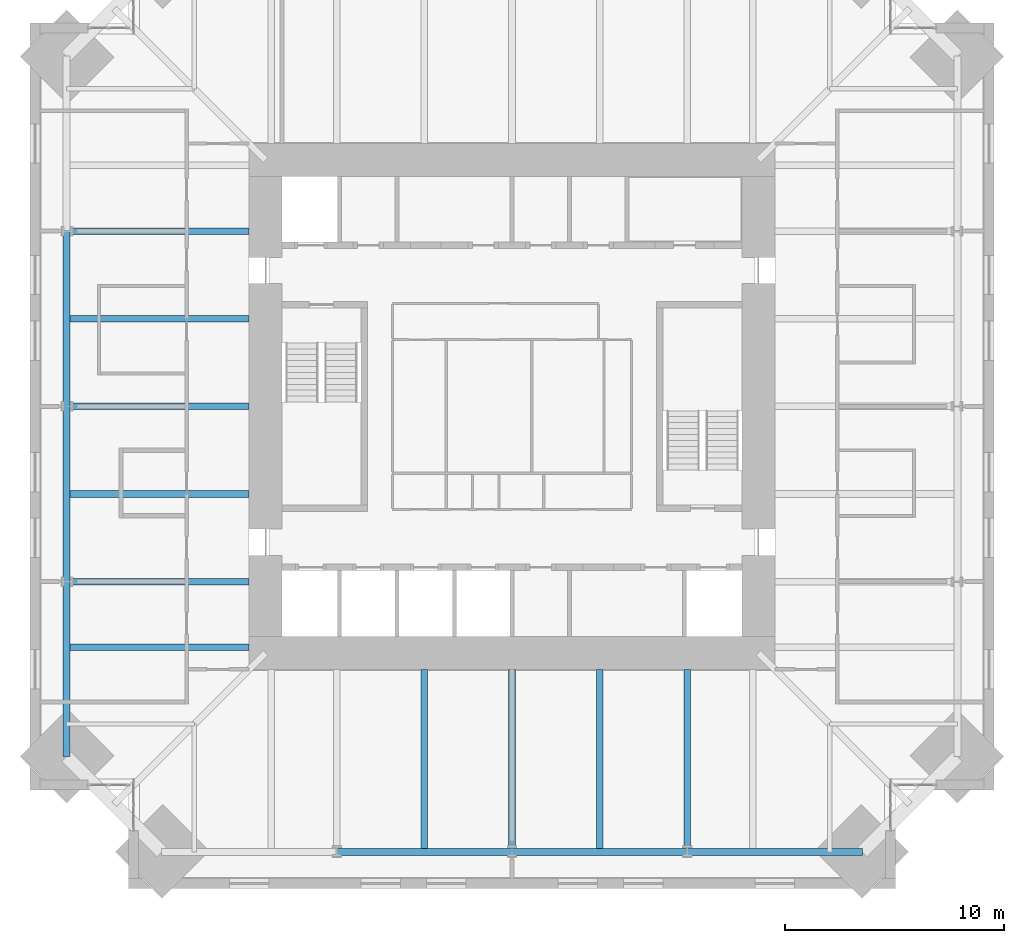
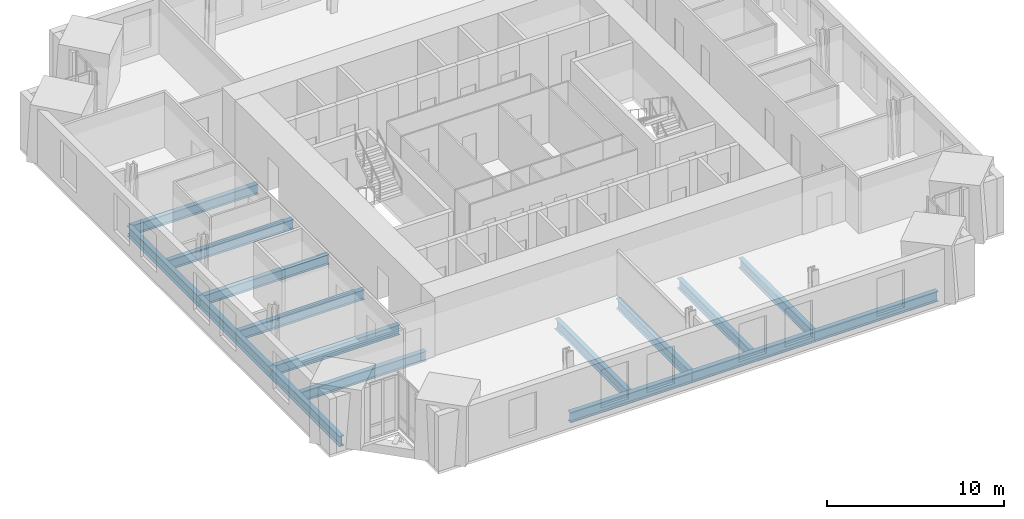
# One storey, part 3 of 16: 16 beams.
"""IFC4 building model written with IfcOpenShell, lengths in metres."""

import ifcopenshell
import ifcopenshell.guid

model = None  # the IFC model being written
_history = None  # IfcOwnerHistory: only IFC2X3 demands one
_inside = {}  # id of a spatial element -> (the spatial element, [elements in it])
_under = {}  # id of a project, library or spatial element -> (it, [spatial elements below it])
_declared = {}  # id of a project -> (the project, [libraries it declares])
_typed = {}  # id of a type object -> (the type object, [elements of that type])
_made_of = {}  # id of a material, layer set ... -> (it, [elements and type objects made of it])


def new_model(schema):
    """Start an empty IFC model of exactly this schema.

    Asked for "IFC4X3", IfcOpenShell would pick the latest addendum, in which some entities
    have other attributes; the version numbers below select the first issue.
    IFC2X3 requires an IfcOwnerHistory on every rooted entity: one is made here for all.
    """
    global model, _history
    if schema == "IFC4X3":
        model = ifcopenshell.file(schema_version=(4, 3, 0, 0))
    else:
        model = ifcopenshell.file(schema=schema)
    _inside.clear()
    _under.clear()
    _declared.clear()
    _typed.clear()
    _made_of.clear()
    _history = None
    if model.schema == "IFC2X3":
        org = make("IfcOrganization", Name="unknown")
        user = make(
            "IfcPersonAndOrganization",
            ThePerson=make("IfcPerson", FamilyName="unknown"),
            TheOrganization=org,
        )
        app = make(
            "IfcApplication",
            ApplicationDeveloper=org,
            Version="unknown",
            ApplicationFullName="unknown",
            ApplicationIdentifier="unknown",
        )
        _history = make(
            "IfcOwnerHistory",
            OwningUser=user,
            OwningApplication=app,
            ChangeAction="ADDED",
            CreationDate=0,
        )
    return model


def make(cls, **values):
    """One entity of the class cls with the attributes given. An attribute that is None is left unset."""
    return model.create_entity(
        cls, **{name: value for name, value in values.items() if value is not None}
    )


def rooted(cls, **values):
    """An entity with a GlobalId (a new one), such as an element, a storey or a relation."""
    return make(cls, GlobalId=ifcopenshell.guid.new(), OwnerHistory=_history, **values)


def si_unit(unit_type, name, prefix=None):
    """IfcSIUnit, for example si_unit("LENGTHUNIT", "METRE", prefix="MILLI")."""
    return make("IfcSIUnit", UnitType=unit_type, Prefix=prefix, Name=name)


def assignment(units):
    """IfcUnitAssignment: the units of a project."""
    return None if units is None else make("IfcUnitAssignment", Units=units)


def point(xyz):
    """IfcCartesianPoint."""
    return None if xyz is None else make("IfcCartesianPoint", Coordinates=xyz)


def direction(xyz):
    """IfcDirection."""
    return None if xyz is None else make("IfcDirection", DirectionRatios=xyz)


def frame(location, z_axis=None, x_axis=None):
    """IfcAxis2Placement3D, a coordinate frame: its origin and axes. An axis left out is left unset."""
    return make(
        "IfcAxis2Placement3D",
        Location=point(location),
        Axis=direction(z_axis),
        RefDirection=direction(x_axis),
    )


def frame_2d(location, x_axis=None):
    """IfcAxis2Placement2D, a coordinate frame in the plane: its origin and x axis."""
    return make(
        "IfcAxis2Placement2D", Location=point(location), RefDirection=direction(x_axis)
    )


def origin():
    """The frame at (0, 0, 0) with its axes left unset."""
    return frame((0.0, 0.0, 0.0))


def origin_2d():
    """The frame at (0, 0) in the plane with its x axis left unset."""
    return frame_2d((0.0, 0.0))


def place(relative_to, where):
    """IfcLocalPlacement: puts the frame where relative to a parent placement (None: the world)."""
    return make(
        "IfcLocalPlacement", PlacementRelTo=relative_to, RelativePlacement=where
    )


def context(
    kind, dimensions, precision=None, world=None, true_north=None, identifier=None
):
    """IfcGeometricRepresentationContext, for example the 3D "Model" context."""
    return make(
        "IfcGeometricRepresentationContext",
        ContextIdentifier=identifier,
        ContextType=kind,
        CoordinateSpaceDimension=dimensions,
        Precision=precision,
        WorldCoordinateSystem=world,
        TrueNorth=true_north,
    )


def subcontext(parent, identifier, kind, view, scale=None):
    """IfcGeometricRepresentationSubContext, for example "Body" below "Model"."""
    return make(
        "IfcGeometricRepresentationSubContext",
        ContextIdentifier=identifier,
        ContextType=kind,
        ParentContext=parent,
        TargetScale=scale,
        TargetView=view,
    )


def project(units=None, contexts=None):
    """IfcProject with its units and contexts."""
    return rooted(
        "IfcProject",
        Name="project",
        RepresentationContexts=contexts,
        UnitsInContext=assignment(units),
    )


def spatial(cls, under=None, at=None, **own):
    """A site, building, storey or space (cls), placed at a placement, below another one or the project."""
    s = rooted(cls, ObjectPlacement=at, **own)
    if under is not None:
        _under.setdefault(under.id(), (under, []))[1].append(s)
    return s


def profile(cls, at=None, kind="AREA", **sizes):
    """A parametric profile (cls). Its sizes go by their IFC names, for example OverallWidth=200.0."""
    return make(cls, ProfileType=kind, Position=at, **sizes)


def i_section(**sizes):
    """IfcIShapeProfileDef."""
    return profile("IfcIShapeProfileDef", **sizes)


def extrude(swept, where, along, depth):
    """IfcExtrudedAreaSolid: the profile swept, set in the frame where, extruded along a direction by depth."""
    return make(
        "IfcExtrudedAreaSolid",
        SweptArea=swept,
        Position=where,
        ExtrudedDirection=direction(along),
        Depth=depth,
    )


def shape(context_of_items, identifier, shape_type, items):
    """IfcShapeRepresentation: the items that make up one representation, for example the "Body"."""
    return make(
        "IfcShapeRepresentation",
        ContextOfItems=context_of_items,
        RepresentationIdentifier=identifier,
        RepresentationType=shape_type,
        Items=items,
    )


def material(Name=None, Category=None):
    """IfcMaterial."""
    return make("IfcMaterial", Name=Name, Category=Category)


def material_profile(
    of_material, cross_section, Name=None, Category=None, Priority=None
):
    """IfcMaterialProfile: a cross section and its material."""
    return make(
        "IfcMaterialProfile",
        Name=Name,
        Material=of_material,
        Profile=cross_section,
        Priority=Priority,
        Category=Category,
    )


def profile_set(profiles, Name=None, composite=None):
    """IfcMaterialProfileSet."""
    return make(
        "IfcMaterialProfileSet",
        Name=Name,
        MaterialProfiles=profiles,
        CompositeProfile=composite,
    )


def made_of(thing, what):
    """Note that an element or type object is made of a material, layer set ...; save() writes the relation."""
    if what is not None:
        _made_of.setdefault(what.id(), (what, []))[1].append(thing)
    return thing


def type_object(cls, material=None, **own):
    """A type object (cls), such as IfcWallType, which elements share."""
    return made_of(rooted(cls, **own), material)


def element(
    cls,
    number,
    at=None,
    inside=None,
    cuts=None,
    type_object=None,
    material=None,
    context=None,
    identifier="Body",
    shape_type=None,
    held_by="IfcProductDefinitionShape",
    body=None,
    shapes=None,
    **own,
):
    """One element of the class cls, such as IfcWall. Its Tag is "e" and its number.

    at: its placement. inside: the storey or other place that contains it. cuts: it is an
    opening in that element (IfcRelVoidsElement). A single representation is given by context,
    identifier, shape_type and body (its items); several are given by shapes. held_by: the class
    of the entity that holds the representations. save() writes the other relations.
    """
    e = rooted(cls, Tag="e%d" % number, ObjectPlacement=at, **own)
    if body is not None:
        shapes = [shape(context, identifier, shape_type, body)]
    if shapes is not None:
        e.Representation = make(held_by, Representations=shapes)
    if inside is not None:
        _inside.setdefault(inside.id(), (inside, []))[1].append(e)
    if cuts is not None:
        rooted(
            "IfcRelVoidsElement", RelatingBuildingElement=cuts, RelatedOpeningElement=e
        )
    if type_object is not None:
        _typed.setdefault(type_object.id(), (type_object, []))[1].append(e)
    return made_of(e, material)


def aggregate(whole, parts):
    """IfcRelAggregates: a whole, such as a stair, and the parts it consists of."""
    return rooted("IfcRelAggregates", RelatingObject=whole, RelatedObjects=parts)


def save(model, path):
    """Write the relations noted so far, then the file.

    IfcRelAggregates (storeys below a building ...), IfcRelContainedInSpatialStructure (elements
    in a storey), IfcRelDefinesByType, IfcRelAssociatesMaterial and IfcRelDeclares: one each for
    every whole, place, type object, material and project.
    """
    for whole, parts in _under.values():
        aggregate(whole, parts)
    for where, things in _inside.values():
        rooted(
            "IfcRelContainedInSpatialStructure",
            RelatedElements=things,
            RelatingStructure=where,
        )
    for kind, things in _typed.values():
        rooted("IfcRelDefinesByType", RelatedObjects=things, RelatingType=kind)
    for what, things in _made_of.values():
        rooted("IfcRelAssociatesMaterial", RelatedObjects=things, RelatingMaterial=what)
    for by, libraries in _declared.values():
        rooted("IfcRelDeclares", RelatingContext=by, RelatedDefinitions=libraries)
    model.write(path)


model = new_model("IFC4")

# Units and contexts
model_context = context("Model", 3, precision=1e-05, world=origin(), true_north=direction((0.0, 1.0)))
body_context = subcontext(model_context, "Body", "Model", "MODEL_VIEW")
ifc_project = project(units=[si_unit("LENGTHUNIT", "METRE"), si_unit("AREAUNIT", "SQUARE_METRE"), si_unit("VOLUMEUNIT", "CUBIC_METRE"), si_unit("PLANEANGLEUNIT", "RADIAN"), si_unit("MASSUNIT", "GRAM", prefix="KILO")], contexts=[model_context])

# Site, building, storey
site_placement = place(None, origin())
site = spatial("IfcSite", under=ifc_project, at=site_placement, CompositionType="ELEMENT")
building_placement = place(site_placement, origin())
building = spatial("IfcBuilding", under=site, at=building_placement, Name="Peilmerk Tower", CompositionType="ELEMENT")
storey_placement = place(building_placement, frame((0.0, 0.0, 261.800048828125)))
storey = spatial("IfcBuildingStorey", under=building, at=storey_placement, Name="L58", CompositionType="ELEMENT", Elevation=261.800048828125)

# Beams
ifc_material = material(Name="Steel S355", Category="steel")
ifc_material_profile_1 = material_profile(ifc_material, i_section(OverallWidth=0.300048828125, OverallDepth=0.68994140625, WebThickness=0.014404296875, FlangeThickness=0.027099609375, at=origin_2d()), Name="HEA 700")
ifc_profile_set_1 = profile_set([ifc_material_profile_1], Name="Steel S355")
beam_type_1 = type_object("IfcBeamType", Name="B16 HEA 700 floor beam", PredefinedType="BEAM", material=ifc_profile_set_1)
for number, where, z_axis, x_axis, name in (
    (1, (-4.0, -12.0, -0.51513671875), (0.0, -1.0, 0.0), (1.0, 0.0, 0.0), "Floor beam L58"),
    (2, (0.0, -12.0, -0.51513671875), (0.0, -1.0, 0.0), (1.0, 0.0, 0.0), "Floor beam L58"),
    (3, (4.0, -12.0, -0.51513671875), (0.0, -1.0, 0.0), (1.0, 0.0, 0.0), "Floor beam L58"),
    (4, (8.0, -12.0, -0.51513671875), (0.0, -1.0, 0.0), (1.0, 0.0, 0.0), "Floor beam L58"),
    (5, (-12.0, 8.0, -0.51513671875), (-1.0, 0.0, 0.0), (0.0, -1.0, 0.0), "Floor beam L58"),
    (6, (-12.0, 4.0, -0.51513671875), (-1.0, 0.0, 0.0), (0.0, -1.0, 0.0), "Floor beam L58"),
    (7, (-12.0, 0.0, -0.51513671875), (-1.0, 0.0, 0.0), (0.0, -1.0, 0.0), "Floor beam L58"),
    (8, (-12.0, -4.0, -0.51513671875), (-1.0, 0.0, 0.0), (0.0, -1.0, 0.0), "Floor beam L58"),
    (9, (-12.0, -8.0, -0.51513671875), (-1.0, 0.0, 0.0), (0.0, -1.0, 0.0), "Floor beam L58"),
    (10, (-12.0, -11.0, -0.51513671875), (-1.0, 0.0, 0.0), (0.0, -1.0, 0.0), "Floor beam L58"),
):
    element("IfcBeam", number, at=place(storey_placement, frame(where, z_axis=z_axis, x_axis=x_axis)), inside=storey, type_object=beam_type_1, Name=name, PredefinedType="BEAM", context=body_context, shape_type="SweptSolid", body=[
        extrude(i_section(OverallWidth=0.300048828125, OverallDepth=0.68994140625, WebThickness=0.014404296875, FlangeThickness=0.027099609375, at=origin_2d()), origin(), (0.0, 0.0, 1.0), 8.34033203125),
    ])
ifc_material_profile_2 = material_profile(ifc_material, i_section(OverallWidth=0.303955078125, OverallDepth=0.716064453125, WebThickness=0.02099609375, FlangeThickness=0.0400390625, at=origin_2d()), Name="HEM 700")
ifc_profile_set_2 = profile_set([ifc_material_profile_2], Name="Steel S355")
beam_type_2 = type_object("IfcBeamType", Name="B30 HEM 700 edge beam", PredefinedType="SPANDREL", material=ifc_profile_set_2)
for number, where, z_axis, x_axis, name in (
    (11, (-8.0, -20.34033203125, -0.528076171875), (1.0, 0.0, 0.0), (0.0, 1.0, 0.0), "Edge beam L58"),
    (12, (0.0, -20.34033203125, -0.528076171875), (1.0, 0.0, 0.0), (0.0, 1.0, 0.0), "Edge beam L58"),
):
    element("IfcBeam", number, at=place(storey_placement, frame(where, z_axis=z_axis, x_axis=x_axis)), inside=storey, type_object=beam_type_2, Name=name, PredefinedType="SPANDREL", context=body_context, shape_type="SweptSolid", body=[
        extrude(i_section(OverallWidth=0.303955078125, OverallDepth=0.716064453125, WebThickness=0.02099609375, FlangeThickness=0.0400390625, at=origin_2d()), origin(), (0.0, 0.0, 1.0), 8.0),
    ])
beam_1_placement = place(storey_placement, frame((8.0, -20.34033203125, -0.528076171875), z_axis=(1.0, 0.0, 0.0), x_axis=(0.0, 1.0, 0.0)))
element("IfcBeam", 13, at=beam_1_placement, inside=storey, type_object=beam_type_2, Name="Edge beam L58", PredefinedType="SPANDREL", context=body_context, shape_type="SweptSolid", body=[
    extrude(i_section(OverallWidth=0.303955078125, OverallDepth=0.716064453125, WebThickness=0.02099609375, FlangeThickness=0.0400390625, at=origin_2d()), origin(), (0.0, 0.0, 1.0), 7.990234375),
])
for number, where, z_axis, x_axis, name in (
    (14, (-20.34033203125, 8.0, -0.528076171875), (0.0, -1.0, 0.0), (1.0, 0.0, 0.0), "Edge beam L58"),
    (15, (-20.34033203125, 0.0, -0.528076171875), (0.0, -1.0, 0.0), (1.0, 0.0, 0.0), "Edge beam L58"),
):
    element("IfcBeam", number, at=place(storey_placement, frame(where, z_axis=z_axis, x_axis=x_axis)), inside=storey, type_object=beam_type_2, Name=name, PredefinedType="SPANDREL", context=body_context, shape_type="SweptSolid", body=[
        extrude(i_section(OverallWidth=0.303955078125, OverallDepth=0.716064453125, WebThickness=0.02099609375, FlangeThickness=0.0400390625, at=origin_2d()), origin(), (0.0, 0.0, 1.0), 8.0),
    ])
beam_2_placement = place(storey_placement, frame((-20.34033203125, -8.0, -0.528076171875), z_axis=(0.0, -1.0, 0.0), x_axis=(1.0, 0.0, 0.0)))
element("IfcBeam", 16, at=beam_2_placement, inside=storey, type_object=beam_type_2, Name="Edge beam L58", PredefinedType="SPANDREL", context=body_context, shape_type="SweptSolid", body=[
    extrude(i_section(OverallWidth=0.303955078125, OverallDepth=0.716064453125, WebThickness=0.02099609375, FlangeThickness=0.0400390625, at=origin_2d()), origin(), (0.0, 0.0, 1.0), 7.990234375),
])

save(model, "model.ifc")
